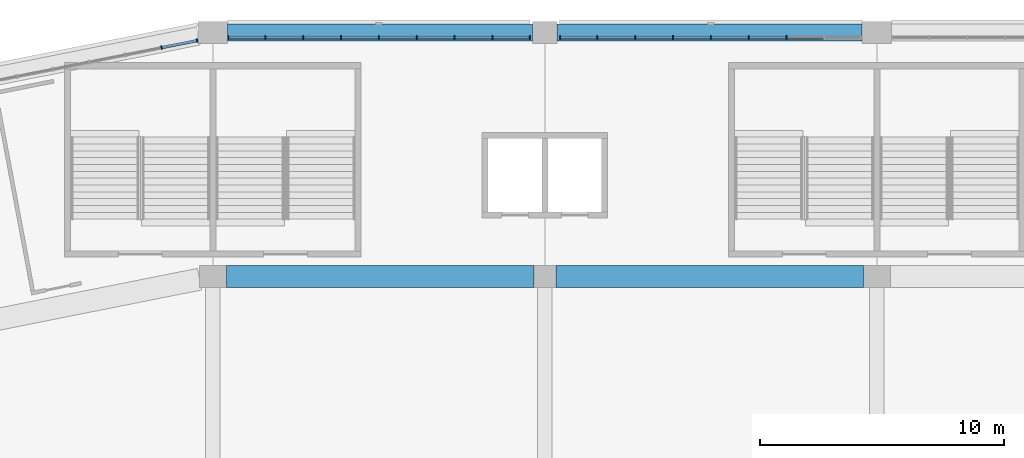
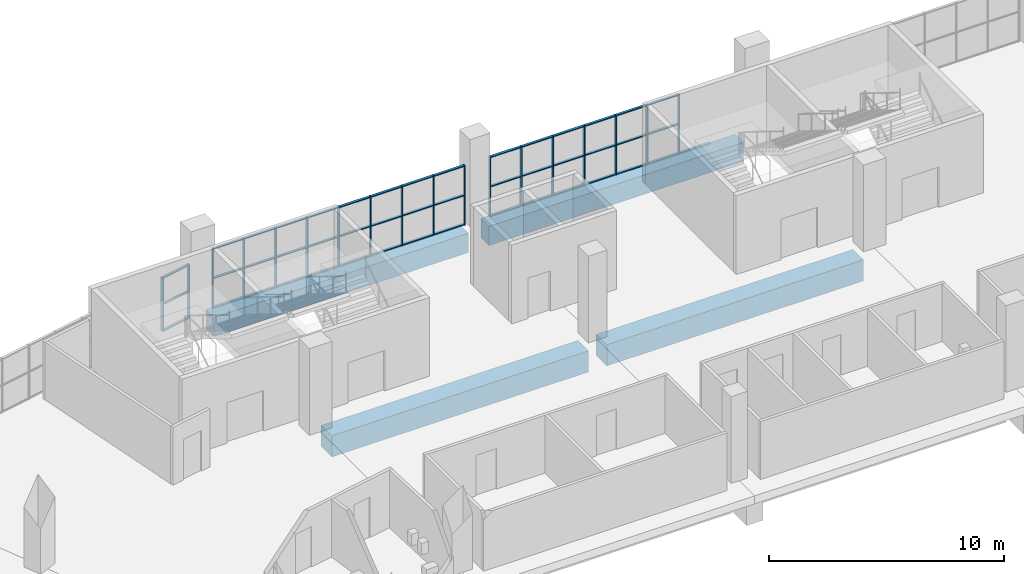
# One storey, part 44 of 199: 64 members, 4 beams, 3 elements without a shape of their own.
"""IFC4 building model written with IfcOpenShell, lengths in metres."""

from ifc_helpers import new_model, si_unit, direction, frame, origin, origin_2d, place, context, subcontext, project, spatial, rectangle, extrude, material, material_profile, profile_set, type_object, element, aggregate, save


model = new_model("IFC4")

# Units and contexts
model_context = context("Model", 3, precision=1e-05, world=origin(), true_north=direction((0.0, 1.0)))
body_context = subcontext(model_context, "Body", "Model", "MODEL_VIEW")
ifc_project = project(units=[si_unit("LENGTHUNIT", "METRE"), si_unit("AREAUNIT", "SQUARE_METRE"), si_unit("VOLUMEUNIT", "CUBIC_METRE"), si_unit("PLANEANGLEUNIT", "RADIAN"), si_unit("MASSUNIT", "GRAM", prefix="KILO")], contexts=[model_context])

# Site, building, storey
site_placement = place(None, origin())
site = spatial("IfcSite", under=ifc_project, at=site_placement, CompositionType="ELEMENT")
building_placement = place(site_placement, origin())
building = spatial("IfcBuilding", under=site, at=building_placement, Name="Ogive Plaza Stadium", CompositionType="ELEMENT")
storey_placement = place(building_placement, frame((0.0, 0.0, 4.5)))
storey = spatial("IfcBuildingStorey", under=building, at=storey_placement, Name="L01", CompositionType="ELEMENT", Elevation=4.5)

# Curtain wall, members
ifc_material_1 = material(Name="Bronze-anodised aluminium with laminated glass", Category="aluminium")
curtain_wall_type = type_object("IfcCurtainWallType", Name="Lancet curtain wall", PredefinedType="NOTDEFINED", material=ifc_material_1)
curtain_wall_1_placement = place(storey_placement, origin())
curtain_wall_1 = element("IfcCurtainWall", 1, at=curtain_wall_1_placement, inside=storey, type_object=curtain_wall_type, Name="CURTAIN WALL B31 L01", PredefinedType="NOTDEFINED")
ifc_material_2 = material(Name="Bronze-anodised aluminium", Category="aluminium")
ifc_material_profile_1 = material_profile(ifc_material_2, rectangle(XDim=0.14990234375, YDim=0.050048828125, at=origin_2d()), Name="AL 150x50")
ifc_profile_set_1 = profile_set([ifc_material_profile_1], Name="Bronze-anodised aluminium")
member_type_1 = type_object("IfcMemberType", Name="Curtain wall mullion 50x150", PredefinedType="MULLION", material=ifc_profile_set_1)
member_1_placement = place(storey_placement, frame((-36.104248046875, 101.87744140625, 0.0), z_axis=(0.0, 0.0, 1.0), x_axis=(-0.195090322016, 0.980785280403, 0.0)))
member_1 = element("IfcMember", 2, at=member_1_placement, type_object=member_type_1, Name="CW-B31-L01 mullion 12", PredefinedType="MULLION", context=body_context, shape_type="SweptSolid", body=[
    extrude(rectangle(XDim=0.14990234375, YDim=0.050048828125, at=origin_2d()), origin(), (0.0, 0.0, 1.0), 2.7900390625),
])
member_2_placement = place(storey_placement, frame((-34.64404296875, 102.16796875, 0.0), z_axis=(0.0, 0.0, 1.0), x_axis=(-0.195090322016, 0.980785280403, 0.0)))
member_2 = element("IfcMember", 3, at=member_2_placement, type_object=member_type_1, Name="CW-B31-L01 mullion 13", PredefinedType="MULLION", context=body_context, shape_type="SweptSolid", body=[
    extrude(rectangle(XDim=0.14990234375, YDim=0.050048828125, at=origin_2d()), origin(), (0.0, 0.0, 1.0), 2.7900390625),
])

curtain_wall_2_placement = place(storey_placement, origin())
curtain_wall_2 = element("IfcCurtainWall", 4, at=curtain_wall_2_placement, inside=storey, type_object=curtain_wall_type, Name="CURTAIN WALL B32 L01", PredefinedType="NOTDEFINED")
member_3_placement = place(storey_placement, frame((-33.375, 102.300048828125, 0.0), z_axis=(0.0, 0.0, 1.0), x_axis=(0.0, 1.0, 0.0)))
member_3 = element("IfcMember", 5, at=member_3_placement, type_object=member_type_1, Name="CW-B32-L01 mullion 1", PredefinedType="MULLION", context=body_context, shape_type="SweptSolid", body=[
    extrude(rectangle(XDim=0.14990234375, YDim=0.050048828125, at=origin_2d()), origin(), (0.0, 0.0, 1.0), 3.090087890625),
])
member_4_placement = place(storey_placement, frame((-31.85009765625, 102.300048828125, 0.0), z_axis=(0.0, 0.0, 1.0), x_axis=(0.0, 1.0, 0.0)))
member_4 = element("IfcMember", 6, at=member_4_placement, type_object=member_type_1, Name="CW-B32-L01 mullion 2", PredefinedType="MULLION", context=body_context, shape_type="SweptSolid", body=[
    extrude(rectangle(XDim=0.14990234375, YDim=0.050048828125, at=origin_2d()), origin(), (0.0, 0.0, 1.0), 3.090087890625),
])
member_5_placement = place(storey_placement, frame((-30.300048828125, 102.300048828125, 0.0), z_axis=(0.0, 0.0, 1.0), x_axis=(0.0, 1.0, 0.0)))
member_5 = element("IfcMember", 7, at=member_5_placement, type_object=member_type_1, Name="CW-B32-L01 mullion 3", PredefinedType="MULLION", context=body_context, shape_type="SweptSolid", body=[
    extrude(rectangle(XDim=0.14990234375, YDim=0.050048828125, at=origin_2d()), origin(), (0.0, 0.0, 1.0), 3.090087890625),
])
member_6_placement = place(storey_placement, frame((-28.75, 102.300048828125, 0.0), z_axis=(0.0, 0.0, 1.0), x_axis=(0.0, 1.0, 0.0)))
member_6 = element("IfcMember", 8, at=member_6_placement, type_object=member_type_1, Name="CW-B32-L01 mullion 4", PredefinedType="MULLION", context=body_context, shape_type="SweptSolid", body=[
    extrude(rectangle(XDim=0.14990234375, YDim=0.050048828125, at=origin_2d()), origin(), (0.0, 0.0, 1.0), 3.090087890625),
])
member_7_placement = place(storey_placement, frame((-27.199951171875, 102.300048828125, 0.0), z_axis=(0.0, 0.0, 1.0), x_axis=(0.0, 1.0, 0.0)))
member_7 = element("IfcMember", 9, at=member_7_placement, type_object=member_type_1, Name="CW-B32-L01 mullion 5", PredefinedType="MULLION", context=body_context, shape_type="SweptSolid", body=[
    extrude(rectangle(XDim=0.14990234375, YDim=0.050048828125, at=origin_2d()), origin(), (0.0, 0.0, 1.0), 3.090087890625),
])
member_8_placement = place(storey_placement, frame((-25.64990234375, 102.300048828125, 0.0), z_axis=(0.0, 0.0, 1.0), x_axis=(0.0, 1.0, 0.0)))
member_8 = element("IfcMember", 10, at=member_8_placement, type_object=member_type_1, Name="CW-B32-L01 mullion 6", PredefinedType="MULLION", context=body_context, shape_type="SweptSolid", body=[
    extrude(rectangle(XDim=0.14990234375, YDim=0.050048828125, at=origin_2d()), origin(), (0.0, 0.0, 1.0), 3.090087890625),
])
member_9_placement = place(storey_placement, frame((-24.10009765625, 102.300048828125, 0.0), z_axis=(0.0, 0.0, 1.0), x_axis=(0.0, 1.0, 0.0)))
member_9 = element("IfcMember", 11, at=member_9_placement, type_object=member_type_1, Name="CW-B32-L01 mullion 7", PredefinedType="MULLION", context=body_context, shape_type="SweptSolid", body=[
    extrude(rectangle(XDim=0.14990234375, YDim=0.050048828125, at=origin_2d()), origin(), (0.0, 0.0, 1.0), 3.090087890625),
])
member_10_placement = place(storey_placement, frame((-22.550048828125, 102.300048828125, 0.0), z_axis=(0.0, 0.0, 1.0), x_axis=(0.0, 1.0, 0.0)))
member_10 = element("IfcMember", 12, at=member_10_placement, type_object=member_type_1, Name="CW-B32-L01 mullion 8", PredefinedType="MULLION", context=body_context, shape_type="SweptSolid", body=[
    extrude(rectangle(XDim=0.14990234375, YDim=0.050048828125, at=origin_2d()), origin(), (0.0, 0.0, 1.0), 3.090087890625),
])
member_11_placement = place(storey_placement, frame((-21.02490234375, 102.300048828125, 0.0), z_axis=(0.0, 0.0, 1.0), x_axis=(0.0, 1.0, 0.0)))
member_11 = element("IfcMember", 13, at=member_11_placement, type_object=member_type_1, Name="CW-B32-L01 mullion 9", PredefinedType="MULLION", context=body_context, shape_type="SweptSolid", body=[
    extrude(rectangle(XDim=0.14990234375, YDim=0.050048828125, at=origin_2d()), origin(), (0.0, 0.0, 1.0), 3.090087890625),
])

curtain_wall_3_placement = place(storey_placement, origin())
curtain_wall_3 = element("IfcCurtainWall", 14, at=curtain_wall_3_placement, inside=storey, type_object=curtain_wall_type, Name="CURTAIN WALL B33 L01", PredefinedType="NOTDEFINED")
member_12_placement = place(storey_placement, frame((-19.77490234375, 102.300048828125, 0.0), z_axis=(0.0, 0.0, 1.0), x_axis=(0.0, 1.0, 0.0)))
member_12 = element("IfcMember", 15, at=member_12_placement, type_object=member_type_1, Name="CW-B33-L01 mullion 1", PredefinedType="MULLION", context=body_context, shape_type="SweptSolid", body=[
    extrude(rectangle(XDim=0.14990234375, YDim=0.050048828125, at=origin_2d()), origin(), (0.0, 0.0, 1.0), 3.090087890625),
])
member_13_placement = place(storey_placement, frame((-18.25, 102.300048828125, 0.0), z_axis=(0.0, 0.0, 1.0), x_axis=(0.0, 1.0, 0.0)))
member_13 = element("IfcMember", 16, at=member_13_placement, type_object=member_type_1, Name="CW-B33-L01 mullion 2", PredefinedType="MULLION", context=body_context, shape_type="SweptSolid", body=[
    extrude(rectangle(XDim=0.14990234375, YDim=0.050048828125, at=origin_2d()), origin(), (0.0, 0.0, 1.0), 3.090087890625),
])
member_14_placement = place(storey_placement, frame((-16.699951171875, 102.300048828125, 0.0), z_axis=(0.0, 0.0, 1.0), x_axis=(0.0, 1.0, 0.0)))
member_14 = element("IfcMember", 17, at=member_14_placement, type_object=member_type_1, Name="CW-B33-L01 mullion 3", PredefinedType="MULLION", context=body_context, shape_type="SweptSolid", body=[
    extrude(rectangle(XDim=0.14990234375, YDim=0.050048828125, at=origin_2d()), origin(), (0.0, 0.0, 1.0), 3.090087890625),
])
member_15_placement = place(storey_placement, frame((-15.14990234375, 102.300048828125, 0.0), z_axis=(0.0, 0.0, 1.0), x_axis=(0.0, 1.0, 0.0)))
member_15 = element("IfcMember", 18, at=member_15_placement, type_object=member_type_1, Name="CW-B33-L01 mullion 4", PredefinedType="MULLION", context=body_context, shape_type="SweptSolid", body=[
    extrude(rectangle(XDim=0.14990234375, YDim=0.050048828125, at=origin_2d()), origin(), (0.0, 0.0, 1.0), 3.090087890625),
])
member_16_placement = place(storey_placement, frame((-13.60009765625, 102.300048828125, 0.0), z_axis=(0.0, 0.0, 1.0), x_axis=(0.0, 1.0, 0.0)))
member_16 = element("IfcMember", 19, at=member_16_placement, type_object=member_type_1, Name="CW-B33-L01 mullion 5", PredefinedType="MULLION", context=body_context, shape_type="SweptSolid", body=[
    extrude(rectangle(XDim=0.14990234375, YDim=0.050048828125, at=origin_2d()), origin(), (0.0, 0.0, 1.0), 3.090087890625),
])
member_17_placement = place(storey_placement, frame((-12.050048828125, 102.300048828125, 0.0), z_axis=(0.0, 0.0, 1.0), x_axis=(0.0, 1.0, 0.0)))
member_17 = element("IfcMember", 20, at=member_17_placement, type_object=member_type_1, Name="CW-B33-L01 mullion 6", PredefinedType="MULLION", context=body_context, shape_type="SweptSolid", body=[
    extrude(rectangle(XDim=0.14990234375, YDim=0.050048828125, at=origin_2d()), origin(), (0.0, 0.0, 1.0), 3.090087890625),
])
member_18_placement = place(storey_placement, frame((-10.5, 102.300048828125, 0.0), z_axis=(0.0, 0.0, 1.0), x_axis=(0.0, 1.0, 0.0)))
member_18 = element("IfcMember", 21, at=member_18_placement, type_object=member_type_1, Name="CW-B33-L01 mullion 7", PredefinedType="MULLION", context=body_context, shape_type="SweptSolid", body=[
    extrude(rectangle(XDim=0.14990234375, YDim=0.050048828125, at=origin_2d()), origin(), (0.0, 0.0, 1.0), 3.090087890625),
])

# Member
ifc_material_3 = material(Name="Bronze-anodised aluminium", Category="aluminium")
ifc_material_profile_2 = material_profile(ifc_material_3, rectangle(XDim=0.1201171875, YDim=0.050048828125, at=origin_2d()), Name="AL 120x50")
ifc_profile_set_2 = profile_set([ifc_material_profile_2], Name="Bronze-anodised aluminium")
member_type_2 = type_object("IfcMemberType", Name="Curtain wall transom 50x120", PredefinedType="USERDEFINED", material=ifc_profile_set_2)
member_19_placement = place(storey_placement, frame((-36.079833984375, 101.88232421875, 0.02490234375), z_axis=(0.980782436465, 0.195104618913, 0.0), x_axis=(-0.195104618913, 0.980782436465, 0.0)))
member_19 = element("IfcMember", 22, at=member_19_placement, type_object=member_type_2, Name="CW-B31-L01 transom 12.1", ObjectType="TRANSOM", PredefinedType="USERDEFINED", context=body_context, shape_type="SweptSolid", body=[
    extrude(rectangle(XDim=0.1201171875, YDim=0.050048828125, at=origin_2d()), origin(), (0.0, 0.0, 1.0), 1.43896484375),
])

member_20_placement = place(storey_placement, frame((-36.079833984375, 101.88232421875, 1.39501953125), z_axis=(0.980782436465, 0.195104618913, 0.0), x_axis=(-0.195104618913, 0.980782436465, 0.0)))
member_20 = element("IfcMember", 23, at=member_20_placement, type_object=member_type_2, Name="CW-B31-L01 transom 12.2", ObjectType="TRANSOM", PredefinedType="USERDEFINED", context=body_context, shape_type="SweptSolid", body=[
    extrude(rectangle(XDim=0.1201171875, YDim=0.050048828125, at=origin_2d()), origin(), (0.0, 0.0, 1.0), 1.43896484375),
])

member_21_placement = place(storey_placement, frame((-36.079833984375, 101.88232421875, 2.764892578125), z_axis=(0.980782436465, 0.195104618913, 0.0), x_axis=(-0.195104618913, 0.980782436465, 0.0)))
member_21 = element("IfcMember", 24, at=member_21_placement, type_object=member_type_2, Name="CW-B31-L01 transom 12.3", ObjectType="TRANSOM", PredefinedType="USERDEFINED", context=body_context, shape_type="SweptSolid", body=[
    extrude(rectangle(XDim=0.1201171875, YDim=0.050048828125, at=origin_2d()), origin(), (0.0, 0.0, 1.0), 1.43896484375),
])

aggregate(curtain_wall_1, [member_1, member_2, member_19, member_20, member_21])

member_22_placement = place(storey_placement, frame((-33.35009765625, 102.300048828125, 0.02490234375), z_axis=(1.0, 0.0, 0.0), x_axis=(0.0, 1.0, 0.0)))
member_22 = element("IfcMember", 25, at=member_22_placement, type_object=member_type_2, Name="CW-B32-L01 transom 1.1", ObjectType="TRANSOM", PredefinedType="USERDEFINED", context=body_context, shape_type="SweptSolid", body=[
    extrude(rectangle(XDim=0.1201171875, YDim=0.050048828125, at=origin_2d()), origin(), (0.0, 0.0, 1.0), 1.47509765625),
])

member_23_placement = place(storey_placement, frame((-33.35009765625, 102.300048828125, 1.544921875), z_axis=(1.0, 0.0, 0.0), x_axis=(0.0, 1.0, 0.0)))
member_23 = element("IfcMember", 26, at=member_23_placement, type_object=member_type_2, Name="CW-B32-L01 transom 1.2", ObjectType="TRANSOM", PredefinedType="USERDEFINED", context=body_context, shape_type="SweptSolid", body=[
    extrude(rectangle(XDim=0.1201171875, YDim=0.050048828125, at=origin_2d()), origin(), (0.0, 0.0, 1.0), 1.47509765625),
])

member_24_placement = place(storey_placement, frame((-33.35009765625, 102.300048828125, 3.06494140625), z_axis=(1.0, 0.0, 0.0), x_axis=(0.0, 1.0, 0.0)))
member_24 = element("IfcMember", 27, at=member_24_placement, type_object=member_type_2, Name="CW-B32-L01 transom 1.3", ObjectType="TRANSOM", PredefinedType="USERDEFINED", context=body_context, shape_type="SweptSolid", body=[
    extrude(rectangle(XDim=0.1201171875, YDim=0.050048828125, at=origin_2d()), origin(), (0.0, 0.0, 1.0), 1.47509765625),
])

member_25_placement = place(storey_placement, frame((-31.824951171875, 102.300048828125, 0.02490234375), z_axis=(1.0, 0.0, 0.0), x_axis=(0.0, 1.0, 0.0)))
member_25 = element("IfcMember", 28, at=member_25_placement, type_object=member_type_2, Name="CW-B32-L01 transom 2.1", ObjectType="TRANSOM", PredefinedType="USERDEFINED", context=body_context, shape_type="SweptSolid", body=[
    extrude(rectangle(XDim=0.1201171875, YDim=0.050048828125, at=origin_2d()), origin(), (0.0, 0.0, 1.0), 1.5),
])

member_26_placement = place(storey_placement, frame((-31.824951171875, 102.300048828125, 1.544921875), z_axis=(1.0, 0.0, 0.0), x_axis=(0.0, 1.0, 0.0)))
member_26 = element("IfcMember", 29, at=member_26_placement, type_object=member_type_2, Name="CW-B32-L01 transom 2.2", ObjectType="TRANSOM", PredefinedType="USERDEFINED", context=body_context, shape_type="SweptSolid", body=[
    extrude(rectangle(XDim=0.1201171875, YDim=0.050048828125, at=origin_2d()), origin(), (0.0, 0.0, 1.0), 1.5),
])

member_27_placement = place(storey_placement, frame((-31.824951171875, 102.300048828125, 3.06494140625), z_axis=(1.0, 0.0, 0.0), x_axis=(0.0, 1.0, 0.0)))
member_27 = element("IfcMember", 30, at=member_27_placement, type_object=member_type_2, Name="CW-B32-L01 transom 2.3", ObjectType="TRANSOM", PredefinedType="USERDEFINED", context=body_context, shape_type="SweptSolid", body=[
    extrude(rectangle(XDim=0.1201171875, YDim=0.050048828125, at=origin_2d()), origin(), (0.0, 0.0, 1.0), 1.5),
])

member_28_placement = place(storey_placement, frame((-30.27490234375, 102.300048828125, 0.02490234375), z_axis=(1.0, 0.0, 0.0), x_axis=(0.0, 1.0, 0.0)))
member_28 = element("IfcMember", 31, at=member_28_placement, type_object=member_type_2, Name="CW-B32-L01 transom 3.1", ObjectType="TRANSOM", PredefinedType="USERDEFINED", context=body_context, shape_type="SweptSolid", body=[
    extrude(rectangle(XDim=0.1201171875, YDim=0.050048828125, at=origin_2d()), origin(), (0.0, 0.0, 1.0), 1.5),
])

member_29_placement = place(storey_placement, frame((-30.27490234375, 102.300048828125, 1.544921875), z_axis=(1.0, 0.0, 0.0), x_axis=(0.0, 1.0, 0.0)))
member_29 = element("IfcMember", 32, at=member_29_placement, type_object=member_type_2, Name="CW-B32-L01 transom 3.2", ObjectType="TRANSOM", PredefinedType="USERDEFINED", context=body_context, shape_type="SweptSolid", body=[
    extrude(rectangle(XDim=0.1201171875, YDim=0.050048828125, at=origin_2d()), origin(), (0.0, 0.0, 1.0), 1.5),
])

member_30_placement = place(storey_placement, frame((-30.27490234375, 102.300048828125, 3.06494140625), z_axis=(1.0, 0.0, 0.0), x_axis=(0.0, 1.0, 0.0)))
member_30 = element("IfcMember", 33, at=member_30_placement, type_object=member_type_2, Name="CW-B32-L01 transom 3.3", ObjectType="TRANSOM", PredefinedType="USERDEFINED", context=body_context, shape_type="SweptSolid", body=[
    extrude(rectangle(XDim=0.1201171875, YDim=0.050048828125, at=origin_2d()), origin(), (0.0, 0.0, 1.0), 1.5),
])

member_31_placement = place(storey_placement, frame((-28.72509765625, 102.300048828125, 0.02490234375), z_axis=(1.0, 0.0, 0.0), x_axis=(0.0, 1.0, 0.0)))
member_31 = element("IfcMember", 34, at=member_31_placement, type_object=member_type_2, Name="CW-B32-L01 transom 4.1", ObjectType="TRANSOM", PredefinedType="USERDEFINED", context=body_context, shape_type="SweptSolid", body=[
    extrude(rectangle(XDim=0.1201171875, YDim=0.050048828125, at=origin_2d()), origin(), (0.0, 0.0, 1.0), 1.5),
])

member_32_placement = place(storey_placement, frame((-28.72509765625, 102.300048828125, 1.544921875), z_axis=(1.0, 0.0, 0.0), x_axis=(0.0, 1.0, 0.0)))
member_32 = element("IfcMember", 35, at=member_32_placement, type_object=member_type_2, Name="CW-B32-L01 transom 4.2", ObjectType="TRANSOM", PredefinedType="USERDEFINED", context=body_context, shape_type="SweptSolid", body=[
    extrude(rectangle(XDim=0.1201171875, YDim=0.050048828125, at=origin_2d()), origin(), (0.0, 0.0, 1.0), 1.5),
])

member_33_placement = place(storey_placement, frame((-28.72509765625, 102.300048828125, 3.06494140625), z_axis=(1.0, 0.0, 0.0), x_axis=(0.0, 1.0, 0.0)))
member_33 = element("IfcMember", 36, at=member_33_placement, type_object=member_type_2, Name="CW-B32-L01 transom 4.3", ObjectType="TRANSOM", PredefinedType="USERDEFINED", context=body_context, shape_type="SweptSolid", body=[
    extrude(rectangle(XDim=0.1201171875, YDim=0.050048828125, at=origin_2d()), origin(), (0.0, 0.0, 1.0), 1.5),
])

member_34_placement = place(storey_placement, frame((-27.175048828125, 102.300048828125, 0.02490234375), z_axis=(1.0, 0.0, 0.0), x_axis=(0.0, 1.0, 0.0)))
member_34 = element("IfcMember", 37, at=member_34_placement, type_object=member_type_2, Name="CW-B32-L01 transom 5.1", ObjectType="TRANSOM", PredefinedType="USERDEFINED", context=body_context, shape_type="SweptSolid", body=[
    extrude(rectangle(XDim=0.1201171875, YDim=0.050048828125, at=origin_2d()), origin(), (0.0, 0.0, 1.0), 1.5),
])

member_35_placement = place(storey_placement, frame((-27.175048828125, 102.300048828125, 1.544921875), z_axis=(1.0, 0.0, 0.0), x_axis=(0.0, 1.0, 0.0)))
member_35 = element("IfcMember", 38, at=member_35_placement, type_object=member_type_2, Name="CW-B32-L01 transom 5.2", ObjectType="TRANSOM", PredefinedType="USERDEFINED", context=body_context, shape_type="SweptSolid", body=[
    extrude(rectangle(XDim=0.1201171875, YDim=0.050048828125, at=origin_2d()), origin(), (0.0, 0.0, 1.0), 1.5),
])

member_36_placement = place(storey_placement, frame((-27.175048828125, 102.300048828125, 3.06494140625), z_axis=(1.0, 0.0, 0.0), x_axis=(0.0, 1.0, 0.0)))
member_36 = element("IfcMember", 39, at=member_36_placement, type_object=member_type_2, Name="CW-B32-L01 transom 5.3", ObjectType="TRANSOM", PredefinedType="USERDEFINED", context=body_context, shape_type="SweptSolid", body=[
    extrude(rectangle(XDim=0.1201171875, YDim=0.050048828125, at=origin_2d()), origin(), (0.0, 0.0, 1.0), 1.5),
])

member_37_placement = place(storey_placement, frame((-25.625, 102.300048828125, 0.02490234375), z_axis=(1.0, 0.0, 0.0), x_axis=(0.0, 1.0, 0.0)))
member_37 = element("IfcMember", 40, at=member_37_placement, type_object=member_type_2, Name="CW-B32-L01 transom 6.1", ObjectType="TRANSOM", PredefinedType="USERDEFINED", context=body_context, shape_type="SweptSolid", body=[
    extrude(rectangle(XDim=0.1201171875, YDim=0.050048828125, at=origin_2d()), origin(), (0.0, 0.0, 1.0), 1.5),
])

member_38_placement = place(storey_placement, frame((-25.625, 102.300048828125, 1.544921875), z_axis=(1.0, 0.0, 0.0), x_axis=(0.0, 1.0, 0.0)))
member_38 = element("IfcMember", 41, at=member_38_placement, type_object=member_type_2, Name="CW-B32-L01 transom 6.2", ObjectType="TRANSOM", PredefinedType="USERDEFINED", context=body_context, shape_type="SweptSolid", body=[
    extrude(rectangle(XDim=0.1201171875, YDim=0.050048828125, at=origin_2d()), origin(), (0.0, 0.0, 1.0), 1.5),
])

member_39_placement = place(storey_placement, frame((-25.625, 102.300048828125, 3.06494140625), z_axis=(1.0, 0.0, 0.0), x_axis=(0.0, 1.0, 0.0)))
member_39 = element("IfcMember", 42, at=member_39_placement, type_object=member_type_2, Name="CW-B32-L01 transom 6.3", ObjectType="TRANSOM", PredefinedType="USERDEFINED", context=body_context, shape_type="SweptSolid", body=[
    extrude(rectangle(XDim=0.1201171875, YDim=0.050048828125, at=origin_2d()), origin(), (0.0, 0.0, 1.0), 1.5),
])

member_40_placement = place(storey_placement, frame((-24.074951171875, 102.300048828125, 0.02490234375), z_axis=(1.0, 0.0, 0.0), x_axis=(0.0, 1.0, 0.0)))
member_40 = element("IfcMember", 43, at=member_40_placement, type_object=member_type_2, Name="CW-B32-L01 transom 7.1", ObjectType="TRANSOM", PredefinedType="USERDEFINED", context=body_context, shape_type="SweptSolid", body=[
    extrude(rectangle(XDim=0.1201171875, YDim=0.050048828125, at=origin_2d()), origin(), (0.0, 0.0, 1.0), 1.5),
])

member_41_placement = place(storey_placement, frame((-24.074951171875, 102.300048828125, 1.544921875), z_axis=(1.0, 0.0, 0.0), x_axis=(0.0, 1.0, 0.0)))
member_41 = element("IfcMember", 44, at=member_41_placement, type_object=member_type_2, Name="CW-B32-L01 transom 7.2", ObjectType="TRANSOM", PredefinedType="USERDEFINED", context=body_context, shape_type="SweptSolid", body=[
    extrude(rectangle(XDim=0.1201171875, YDim=0.050048828125, at=origin_2d()), origin(), (0.0, 0.0, 1.0), 1.5),
])

member_42_placement = place(storey_placement, frame((-24.074951171875, 102.300048828125, 3.06494140625), z_axis=(1.0, 0.0, 0.0), x_axis=(0.0, 1.0, 0.0)))
member_42 = element("IfcMember", 45, at=member_42_placement, type_object=member_type_2, Name="CW-B32-L01 transom 7.3", ObjectType="TRANSOM", PredefinedType="USERDEFINED", context=body_context, shape_type="SweptSolid", body=[
    extrude(rectangle(XDim=0.1201171875, YDim=0.050048828125, at=origin_2d()), origin(), (0.0, 0.0, 1.0), 1.5),
])

member_43_placement = place(storey_placement, frame((-22.52490234375, 102.300048828125, 0.02490234375), z_axis=(1.0, 0.0, 0.0), x_axis=(0.0, 1.0, 0.0)))
member_43 = element("IfcMember", 46, at=member_43_placement, type_object=member_type_2, Name="CW-B32-L01 transom 8.1", ObjectType="TRANSOM", PredefinedType="USERDEFINED", context=body_context, shape_type="SweptSolid", body=[
    extrude(rectangle(XDim=0.1201171875, YDim=0.050048828125, at=origin_2d()), origin(), (0.0, 0.0, 1.0), 1.474853515625),
])

member_44_placement = place(storey_placement, frame((-22.52490234375, 102.300048828125, 1.544921875), z_axis=(1.0, 0.0, 0.0), x_axis=(0.0, 1.0, 0.0)))
member_44 = element("IfcMember", 47, at=member_44_placement, type_object=member_type_2, Name="CW-B32-L01 transom 8.2", ObjectType="TRANSOM", PredefinedType="USERDEFINED", context=body_context, shape_type="SweptSolid", body=[
    extrude(rectangle(XDim=0.1201171875, YDim=0.050048828125, at=origin_2d()), origin(), (0.0, 0.0, 1.0), 1.474853515625),
])

member_45_placement = place(storey_placement, frame((-22.52490234375, 102.300048828125, 3.06494140625), z_axis=(1.0, 0.0, 0.0), x_axis=(0.0, 1.0, 0.0)))
member_45 = element("IfcMember", 48, at=member_45_placement, type_object=member_type_2, Name="CW-B32-L01 transom 8.3", ObjectType="TRANSOM", PredefinedType="USERDEFINED", context=body_context, shape_type="SweptSolid", body=[
    extrude(rectangle(XDim=0.1201171875, YDim=0.050048828125, at=origin_2d()), origin(), (0.0, 0.0, 1.0), 1.474853515625),
])

aggregate(curtain_wall_2, [member_3, member_4, member_5, member_6, member_7, member_8, member_9, member_10, member_11, member_22, member_23, member_24, member_25, member_26, member_27, member_28, member_29, member_30, member_31, member_32, member_33, member_34, member_35, member_36, member_37, member_38, member_39, member_40, member_41, member_42, member_43, member_44, member_45])

member_46_placement = place(storey_placement, frame((-19.75, 102.300048828125, 0.02490234375), z_axis=(1.0, 0.0, 0.0), x_axis=(0.0, 1.0, 0.0)))
member_46 = element("IfcMember", 49, at=member_46_placement, type_object=member_type_2, Name="CW-B33-L01 transom 1.1", ObjectType="TRANSOM", PredefinedType="USERDEFINED", context=body_context, shape_type="SweptSolid", body=[
    extrude(rectangle(XDim=0.1201171875, YDim=0.050048828125, at=origin_2d()), origin(), (0.0, 0.0, 1.0), 1.47509765625),
])

member_47_placement = place(storey_placement, frame((-19.75, 102.300048828125, 1.544921875), z_axis=(1.0, 0.0, 0.0), x_axis=(0.0, 1.0, 0.0)))
member_47 = element("IfcMember", 50, at=member_47_placement, type_object=member_type_2, Name="CW-B33-L01 transom 1.2", ObjectType="TRANSOM", PredefinedType="USERDEFINED", context=body_context, shape_type="SweptSolid", body=[
    extrude(rectangle(XDim=0.1201171875, YDim=0.050048828125, at=origin_2d()), origin(), (0.0, 0.0, 1.0), 1.47509765625),
])

member_48_placement = place(storey_placement, frame((-19.75, 102.300048828125, 3.06494140625), z_axis=(1.0, 0.0, 0.0), x_axis=(0.0, 1.0, 0.0)))
member_48 = element("IfcMember", 51, at=member_48_placement, type_object=member_type_2, Name="CW-B33-L01 transom 1.3", ObjectType="TRANSOM", PredefinedType="USERDEFINED", context=body_context, shape_type="SweptSolid", body=[
    extrude(rectangle(XDim=0.1201171875, YDim=0.050048828125, at=origin_2d()), origin(), (0.0, 0.0, 1.0), 1.47509765625),
])

member_49_placement = place(storey_placement, frame((-18.22509765625, 102.300048828125, 0.02490234375), z_axis=(1.0, 0.0, 0.0), x_axis=(0.0, 1.0, 0.0)))
member_49 = element("IfcMember", 52, at=member_49_placement, type_object=member_type_2, Name="CW-B33-L01 transom 2.1", ObjectType="TRANSOM", PredefinedType="USERDEFINED", context=body_context, shape_type="SweptSolid", body=[
    extrude(rectangle(XDim=0.1201171875, YDim=0.050048828125, at=origin_2d()), origin(), (0.0, 0.0, 1.0), 1.5),
])

member_50_placement = place(storey_placement, frame((-18.22509765625, 102.300048828125, 1.544921875), z_axis=(1.0, 0.0, 0.0), x_axis=(0.0, 1.0, 0.0)))
member_50 = element("IfcMember", 53, at=member_50_placement, type_object=member_type_2, Name="CW-B33-L01 transom 2.2", ObjectType="TRANSOM", PredefinedType="USERDEFINED", context=body_context, shape_type="SweptSolid", body=[
    extrude(rectangle(XDim=0.1201171875, YDim=0.050048828125, at=origin_2d()), origin(), (0.0, 0.0, 1.0), 1.5),
])

member_51_placement = place(storey_placement, frame((-18.22509765625, 102.300048828125, 3.06494140625), z_axis=(1.0, 0.0, 0.0), x_axis=(0.0, 1.0, 0.0)))
member_51 = element("IfcMember", 54, at=member_51_placement, type_object=member_type_2, Name="CW-B33-L01 transom 2.3", ObjectType="TRANSOM", PredefinedType="USERDEFINED", context=body_context, shape_type="SweptSolid", body=[
    extrude(rectangle(XDim=0.1201171875, YDim=0.050048828125, at=origin_2d()), origin(), (0.0, 0.0, 1.0), 1.5),
])

member_52_placement = place(storey_placement, frame((-16.675048828125, 102.300048828125, 0.02490234375), z_axis=(1.0, 0.0, 0.0), x_axis=(0.0, 1.0, 0.0)))
member_52 = element("IfcMember", 55, at=member_52_placement, type_object=member_type_2, Name="CW-B33-L01 transom 3.1", ObjectType="TRANSOM", PredefinedType="USERDEFINED", context=body_context, shape_type="SweptSolid", body=[
    extrude(rectangle(XDim=0.1201171875, YDim=0.050048828125, at=origin_2d()), origin(), (0.0, 0.0, 1.0), 1.5),
])

member_53_placement = place(storey_placement, frame((-16.675048828125, 102.300048828125, 1.544921875), z_axis=(1.0, 0.0, 0.0), x_axis=(0.0, 1.0, 0.0)))
member_53 = element("IfcMember", 56, at=member_53_placement, type_object=member_type_2, Name="CW-B33-L01 transom 3.2", ObjectType="TRANSOM", PredefinedType="USERDEFINED", context=body_context, shape_type="SweptSolid", body=[
    extrude(rectangle(XDim=0.1201171875, YDim=0.050048828125, at=origin_2d()), origin(), (0.0, 0.0, 1.0), 1.5),
])

member_54_placement = place(storey_placement, frame((-16.675048828125, 102.300048828125, 3.06494140625), z_axis=(1.0, 0.0, 0.0), x_axis=(0.0, 1.0, 0.0)))
member_54 = element("IfcMember", 57, at=member_54_placement, type_object=member_type_2, Name="CW-B33-L01 transom 3.3", ObjectType="TRANSOM", PredefinedType="USERDEFINED", context=body_context, shape_type="SweptSolid", body=[
    extrude(rectangle(XDim=0.1201171875, YDim=0.050048828125, at=origin_2d()), origin(), (0.0, 0.0, 1.0), 1.5),
])

member_55_placement = place(storey_placement, frame((-15.125, 102.300048828125, 0.02490234375), z_axis=(1.0, 0.0, 0.0), x_axis=(0.0, 1.0, 0.0)))
member_55 = element("IfcMember", 58, at=member_55_placement, type_object=member_type_2, Name="CW-B33-L01 transom 4.1", ObjectType="TRANSOM", PredefinedType="USERDEFINED", context=body_context, shape_type="SweptSolid", body=[
    extrude(rectangle(XDim=0.1201171875, YDim=0.050048828125, at=origin_2d()), origin(), (0.0, 0.0, 1.0), 1.5),
])

member_56_placement = place(storey_placement, frame((-15.125, 102.300048828125, 1.544921875), z_axis=(1.0, 0.0, 0.0), x_axis=(0.0, 1.0, 0.0)))
member_56 = element("IfcMember", 59, at=member_56_placement, type_object=member_type_2, Name="CW-B33-L01 transom 4.2", ObjectType="TRANSOM", PredefinedType="USERDEFINED", context=body_context, shape_type="SweptSolid", body=[
    extrude(rectangle(XDim=0.1201171875, YDim=0.050048828125, at=origin_2d()), origin(), (0.0, 0.0, 1.0), 1.5),
])

member_57_placement = place(storey_placement, frame((-15.125, 102.300048828125, 3.06494140625), z_axis=(1.0, 0.0, 0.0), x_axis=(0.0, 1.0, 0.0)))
member_57 = element("IfcMember", 60, at=member_57_placement, type_object=member_type_2, Name="CW-B33-L01 transom 4.3", ObjectType="TRANSOM", PredefinedType="USERDEFINED", context=body_context, shape_type="SweptSolid", body=[
    extrude(rectangle(XDim=0.1201171875, YDim=0.050048828125, at=origin_2d()), origin(), (0.0, 0.0, 1.0), 1.5),
])

member_58_placement = place(storey_placement, frame((-13.574951171875, 102.300048828125, 0.02490234375), z_axis=(1.0, 0.0, 0.0), x_axis=(0.0, 1.0, 0.0)))
member_58 = element("IfcMember", 61, at=member_58_placement, type_object=member_type_2, Name="CW-B33-L01 transom 5.1", ObjectType="TRANSOM", PredefinedType="USERDEFINED", context=body_context, shape_type="SweptSolid", body=[
    extrude(rectangle(XDim=0.1201171875, YDim=0.050048828125, at=origin_2d()), origin(), (0.0, 0.0, 1.0), 1.5),
])

member_59_placement = place(storey_placement, frame((-13.574951171875, 102.300048828125, 1.544921875), z_axis=(1.0, 0.0, 0.0), x_axis=(0.0, 1.0, 0.0)))
member_59 = element("IfcMember", 62, at=member_59_placement, type_object=member_type_2, Name="CW-B33-L01 transom 5.2", ObjectType="TRANSOM", PredefinedType="USERDEFINED", context=body_context, shape_type="SweptSolid", body=[
    extrude(rectangle(XDim=0.1201171875, YDim=0.050048828125, at=origin_2d()), origin(), (0.0, 0.0, 1.0), 1.5),
])

member_60_placement = place(storey_placement, frame((-13.574951171875, 102.300048828125, 3.06494140625), z_axis=(1.0, 0.0, 0.0), x_axis=(0.0, 1.0, 0.0)))
member_60 = element("IfcMember", 63, at=member_60_placement, type_object=member_type_2, Name="CW-B33-L01 transom 5.3", ObjectType="TRANSOM", PredefinedType="USERDEFINED", context=body_context, shape_type="SweptSolid", body=[
    extrude(rectangle(XDim=0.1201171875, YDim=0.050048828125, at=origin_2d()), origin(), (0.0, 0.0, 1.0), 1.5),
])

member_61_placement = place(storey_placement, frame((-12.02490234375, 102.300048828125, 0.02490234375), z_axis=(1.0, 0.0, 0.0), x_axis=(0.0, 1.0, 0.0)))
member_61 = element("IfcMember", 64, at=member_61_placement, type_object=member_type_2, Name="CW-B33-L01 transom 6.1", ObjectType="TRANSOM", PredefinedType="USERDEFINED", context=body_context, shape_type="SweptSolid", body=[
    extrude(rectangle(XDim=0.1201171875, YDim=0.050048828125, at=origin_2d()), origin(), (0.0, 0.0, 1.0), 1.5),
])

member_62_placement = place(storey_placement, frame((-12.02490234375, 102.300048828125, 1.544921875), z_axis=(1.0, 0.0, 0.0), x_axis=(0.0, 1.0, 0.0)))
member_62 = element("IfcMember", 65, at=member_62_placement, type_object=member_type_2, Name="CW-B33-L01 transom 6.2", ObjectType="TRANSOM", PredefinedType="USERDEFINED", context=body_context, shape_type="SweptSolid", body=[
    extrude(rectangle(XDim=0.1201171875, YDim=0.050048828125, at=origin_2d()), origin(), (0.0, 0.0, 1.0), 1.5),
])

member_63_placement = place(storey_placement, frame((-12.02490234375, 102.300048828125, 3.06494140625), z_axis=(1.0, 0.0, 0.0), x_axis=(0.0, 1.0, 0.0)))
member_63 = element("IfcMember", 66, at=member_63_placement, type_object=member_type_2, Name="CW-B33-L01 transom 6.3", ObjectType="TRANSOM", PredefinedType="USERDEFINED", context=body_context, shape_type="SweptSolid", body=[
    extrude(rectangle(XDim=0.1201171875, YDim=0.050048828125, at=origin_2d()), origin(), (0.0, 0.0, 1.0), 1.5),
])

member_64_placement = place(storey_placement, frame((-10.47509765625, 102.300048828125, 0.02490234375), z_axis=(1.0, 0.0, 0.0), x_axis=(0.0, 1.0, 0.0)))
member_64 = element("IfcMember", 67, at=member_64_placement, type_object=member_type_2, Name="CW-B33-L01 transom 7.1", ObjectType="TRANSOM", PredefinedType="USERDEFINED", context=body_context, shape_type="SweptSolid", body=[
    extrude(rectangle(XDim=0.1201171875, YDim=0.050048828125, at=origin_2d()), origin(), (0.0, 0.0, 1.0), 1.5),
])

aggregate(curtain_wall_3, [member_12, member_13, member_14, member_15, member_16, member_17, member_18, member_46, member_47, member_48, member_49, member_50, member_51, member_52, member_53, member_54, member_55, member_56, member_57, member_58, member_59, member_60, member_61, member_62, member_63, member_64])

# Beams
ifc_material_4 = material(Name="Concrete C40/50", Category="concrete")
ifc_material_profile_3 = material_profile(ifc_material_4, rectangle(XDim=0.89990234375, YDim=1.10009765625, at=origin_2d()), Name="RC 900x1100")
ifc_profile_set_3 = profile_set([ifc_material_profile_3], Name="Concrete C40/50")
beam_type_1 = type_object("IfcBeamType", Name="RC ring beam 900x1100", PredefinedType="BEAM", material=ifc_profile_set_3)
for number, where, z_axis, x_axis, name in (
    (68, (-33.449951171875, 92.5, -0.9599609375), (1.0, 0.0, 0.0), (0.0, 1.0, 0.0), "Ring beam F4 L01 B32"),
    (69, (-19.949951171875, 92.5, -0.9599609375), (1.0, 0.0, 0.0), (0.0, 1.0, 0.0), "Ring beam F4 L01 B33"),
):
    element("IfcBeam", number, at=place(storey_placement, frame(where, z_axis=z_axis, x_axis=x_axis)), inside=storey, type_object=beam_type_1, Name=name, PredefinedType="BEAM", context=body_context, shape_type="SweptSolid", body=[
        extrude(rectangle(XDim=0.89990234375, YDim=1.10009765625, at=origin_2d()), origin(), (0.0, 0.0, 1.0), 12.599853515625),
    ])
ifc_material_5 = material(Name="Concrete C40/50", Category="concrete")
ifc_material_profile_4 = material_profile(ifc_material_5, rectangle(XDim=0.699951171875, YDim=1.0, at=origin_2d()), Name="RC 700x1000")
ifc_profile_set_4 = profile_set([ifc_material_profile_4], Name="Concrete C40/50")
beam_type_2 = type_object("IfcBeamType", Name="RC spandrel beam 700x1000", PredefinedType="SPANDREL", material=ifc_profile_set_4)
for number, where, z_axis, x_axis, name in (
    (70, (-33.39990234375, 102.5, -0.909912109375), (1.0, 0.0, 0.0), (0.0, 1.0, 0.0), "Ring beam F5 L01 B32"),
    (71, (-19.89990234375, 102.5, -0.909912109375), (1.0, 0.0, 0.0), (0.0, 1.0, 0.0), "Ring beam F5 L01 B33"),
):
    element("IfcBeam", number, at=place(storey_placement, frame(where, z_axis=z_axis, x_axis=x_axis)), inside=storey, type_object=beam_type_2, Name=name, PredefinedType="SPANDREL", context=body_context, shape_type="SweptSolid", body=[
        extrude(rectangle(XDim=0.699951171875, YDim=1.0, at=origin_2d()), origin(), (0.0, 0.0, 1.0), 12.5),
    ])

save(model, "model.ifc")
